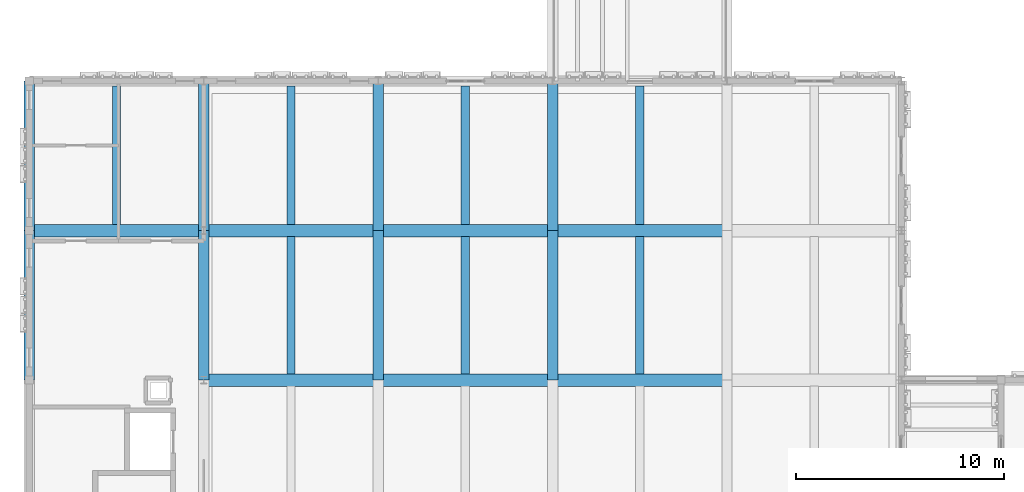
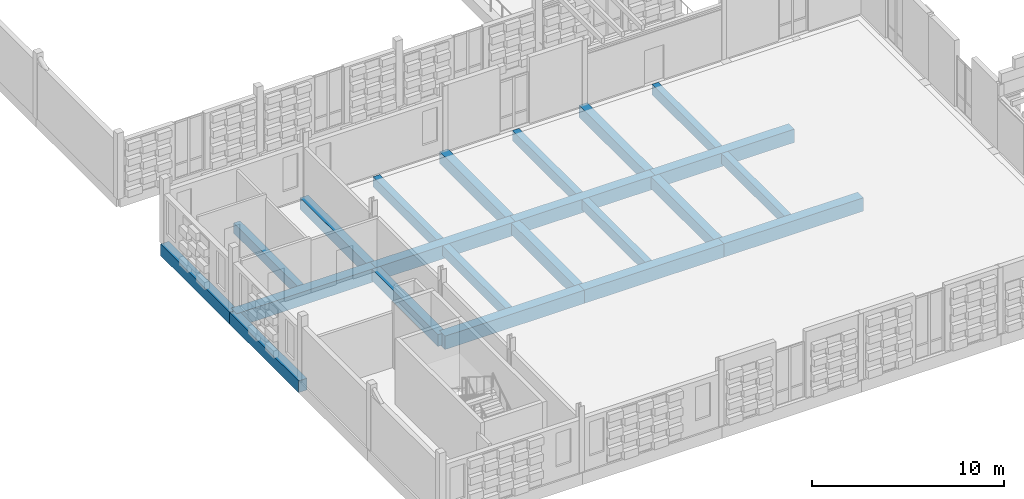
# One storey, part 12 of 99: 22 beams.
"""IFC4 building model written with IfcOpenShell, lengths in metres."""

from ifc_helpers import new_model, si_unit, direction, frame, origin, origin_2d, place, context, subcontext, project, spatial, rectangle, extrude, material, material_profile, profile_set, type_object, element, save


model = new_model("IFC4")

# Units and contexts
model_context = context("Model", 3, precision=1e-05, world=origin(), true_north=direction((0.0, 1.0)))
body_context = subcontext(model_context, "Body", "Model", "MODEL_VIEW")
ifc_project = project(units=[si_unit("LENGTHUNIT", "METRE"), si_unit("AREAUNIT", "SQUARE_METRE"), si_unit("VOLUMEUNIT", "CUBIC_METRE"), si_unit("PLANEANGLEUNIT", "RADIAN"), si_unit("MASSUNIT", "GRAM", prefix="KILO")], contexts=[model_context])

# Site, building, storey
site_placement = place(None, origin())
site = spatial("IfcSite", under=ifc_project, at=site_placement, CompositionType="ELEMENT")
building_placement = place(site_placement, origin())
building = spatial("IfcBuilding", under=site, at=building_placement, Name="Kahlenmark Community Centre", CompositionType="ELEMENT")
storey_placement = place(building_placement, frame((0.0, 0.0, 5.39990234375)))
storey = spatial("IfcBuildingStorey", under=building, at=storey_placement, Name="L01", CompositionType="ELEMENT", Elevation=5.39990234375)

# Beams
ifc_material = material(Name="Concrete C35/45", Category="concrete")
ifc_material_profile_1 = material_profile(ifc_material, rectangle(XDim=0.5, YDim=0.75, at=origin_2d()), Name="RC 500x750")
ifc_profile_set_1 = profile_set([ifc_material_profile_1], Name="Concrete C35/45")
beam_type_1 = type_object("IfcBeamType", Name="BT-BEAM-RC500x750", PredefinedType="BEAM", material=ifc_profile_set_1)
beam_1_placement = place(storey_placement, frame((12.39990234375, 23.199951171875, -0.375), z_axis=(0.0, 1.0, 0.0), x_axis=(-1.0, 0.0, 0.0)))
element("IfcBeam", 1, at=beam_1_placement, inside=storey, type_object=beam_type_1, Name="L01 beam BG-RC500x750", PredefinedType="BEAM", context=body_context, shape_type="SweptSolid", body=[
    extrude(rectangle(XDim=0.5, YDim=0.75, at=origin_2d()), origin(), (0.0, 0.0, 1.0), 7.199951171875),
])
beam_2_placement = place(storey_placement, frame((12.39990234375, 30.39990234375, -0.375), z_axis=(0.0, 1.0, 0.0), x_axis=(-1.0, 0.0, 0.0)))
element("IfcBeam", 2, at=beam_2_placement, inside=storey, type_object=beam_type_1, Name="L01 beam BG-RC500x750", PredefinedType="BEAM", context=body_context, shape_type="SweptSolid", body=[
    extrude(rectangle(XDim=0.5, YDim=0.75, at=origin_2d()), origin(), (0.0, 0.0, 1.0), 7.2001953125),
])
beam_3_placement = place(storey_placement, frame((20.800048828125, 23.199951171875, -0.375), z_axis=(0.0, 1.0, 0.0), x_axis=(-1.0, 0.0, 0.0)))
element("IfcBeam", 3, at=beam_3_placement, inside=storey, type_object=beam_type_1, Name="L01 beam BG-RC500x750", PredefinedType="BEAM", context=body_context, shape_type="SweptSolid", body=[
    extrude(rectangle(XDim=0.5, YDim=0.75, at=origin_2d()), origin(), (0.0, 0.0, 1.0), 7.199951171875),
])
beam_4_placement = place(storey_placement, frame((20.800048828125, 30.39990234375, -0.375), z_axis=(0.0, 1.0, 0.0), x_axis=(-1.0, 0.0, 0.0)))
element("IfcBeam", 4, at=beam_4_placement, inside=storey, type_object=beam_type_1, Name="L01 beam BG-RC500x750", PredefinedType="BEAM", context=body_context, shape_type="SweptSolid", body=[
    extrude(rectangle(XDim=0.5, YDim=0.75, at=origin_2d()), origin(), (0.0, 0.0, 1.0), 7.2001953125),
])
beam_5_placement = place(storey_placement, frame((29.199951171875, 23.199951171875, -0.375), z_axis=(0.0, 1.0, 0.0), x_axis=(-1.0, 0.0, 0.0)))
element("IfcBeam", 5, at=beam_5_placement, inside=storey, type_object=beam_type_1, Name="L01 beam BG-RC500x750", PredefinedType="BEAM", context=body_context, shape_type="SweptSolid", body=[
    extrude(rectangle(XDim=0.5, YDim=0.75, at=origin_2d()), origin(), (0.0, 0.0, 1.0), 7.199951171875),
])
beam_6_placement = place(storey_placement, frame((29.199951171875, 30.39990234375, -0.375), z_axis=(0.0, 1.0, 0.0), x_axis=(-1.0, 0.0, 0.0)))
element("IfcBeam", 6, at=beam_6_placement, inside=storey, type_object=beam_type_1, Name="L01 beam BG-RC500x750", PredefinedType="BEAM", context=body_context, shape_type="SweptSolid", body=[
    extrude(rectangle(XDim=0.5, YDim=0.75, at=origin_2d()), origin(), (0.0, 0.0, 1.0), 7.2001953125),
])
ifc_material_profile_2 = material_profile(ifc_material, rectangle(XDim=0.60009765625, YDim=0.85009765625, at=origin_2d()), Name="RC 600x850")
ifc_profile_set_2 = profile_set([ifc_material_profile_2], Name="Concrete C35/45")
beam_type_2 = type_object("IfcBeamType", Name="BT-BEAM-RC600x850", PredefinedType="BEAM", material=ifc_profile_set_2)
beam_7_placement = place(storey_placement, frame((12.39990234375, 23.199951171875, -0.4248046875), z_axis=(1.0, 0.0, 0.0), x_axis=(0.0, 1.0, 0.0)))
element("IfcBeam", 7, at=beam_7_placement, inside=storey, type_object=beam_type_2, Name="L01 beam BG-RC600x850", PredefinedType="BEAM", context=body_context, shape_type="SweptSolid", body=[
    extrude(rectangle(XDim=0.60009765625, YDim=0.85009765625, at=origin_2d()), origin(), (0.0, 0.0, 1.0), 8.400146484375),
])
beam_8_placement = place(storey_placement, frame((20.800048828125, 23.199951171875, -0.4248046875), z_axis=(1.0, 0.0, 0.0), x_axis=(0.0, 1.0, 0.0)))
element("IfcBeam", 8, at=beam_8_placement, inside=storey, type_object=beam_type_2, Name="L01 beam BG-RC600x850", PredefinedType="BEAM", context=body_context, shape_type="SweptSolid", body=[
    extrude(rectangle(XDim=0.60009765625, YDim=0.85009765625, at=origin_2d()), origin(), (0.0, 0.0, 1.0), 8.39990234375),
])
beam_9_placement = place(storey_placement, frame((29.199951171875, 23.199951171875, -0.4248046875), z_axis=(1.0, 0.0, 0.0), x_axis=(0.0, 1.0, 0.0)))
element("IfcBeam", 9, at=beam_9_placement, inside=storey, type_object=beam_type_2, Name="L01 beam BG-RC600x850", PredefinedType="BEAM", context=body_context, shape_type="SweptSolid", body=[
    extrude(rectangle(XDim=0.60009765625, YDim=0.85009765625, at=origin_2d()), origin(), (0.0, 0.0, 1.0), 8.400146484375),
])
beam_10_placement = place(storey_placement, frame((4.0, 30.39990234375, -0.4248046875), z_axis=(1.0, 0.0, 0.0), x_axis=(0.0, 1.0, 0.0)))
element("IfcBeam", 10, at=beam_10_placement, inside=storey, type_object=beam_type_2, Name="L01 beam BG-RC600x850", PredefinedType="BEAM", context=body_context, shape_type="SweptSolid", body=[
    extrude(rectangle(XDim=0.60009765625, YDim=0.85009765625, at=origin_2d()), origin(), (0.0, 0.0, 1.0), 8.39990234375),
])
beam_11_placement = place(storey_placement, frame((12.39990234375, 30.39990234375, -0.4248046875), z_axis=(1.0, 0.0, 0.0), x_axis=(0.0, 1.0, 0.0)))
element("IfcBeam", 11, at=beam_11_placement, inside=storey, type_object=beam_type_2, Name="L01 beam BG-RC600x850", PredefinedType="BEAM", context=body_context, shape_type="SweptSolid", body=[
    extrude(rectangle(XDim=0.60009765625, YDim=0.85009765625, at=origin_2d()), origin(), (0.0, 0.0, 1.0), 8.400146484375),
])
beam_12_placement = place(storey_placement, frame((20.800048828125, 30.39990234375, -0.4248046875), z_axis=(1.0, 0.0, 0.0), x_axis=(0.0, 1.0, 0.0)))
element("IfcBeam", 12, at=beam_12_placement, inside=storey, type_object=beam_type_2, Name="L01 beam BG-RC600x850", PredefinedType="BEAM", context=body_context, shape_type="SweptSolid", body=[
    extrude(rectangle(XDim=0.60009765625, YDim=0.85009765625, at=origin_2d()), origin(), (0.0, 0.0, 1.0), 8.39990234375),
])
beam_13_placement = place(storey_placement, frame((29.199951171875, 30.39990234375, -0.4248046875), z_axis=(1.0, 0.0, 0.0), x_axis=(0.0, 1.0, 0.0)))
element("IfcBeam", 13, at=beam_13_placement, inside=storey, type_object=beam_type_2, Name="L01 beam BG-RC600x850", PredefinedType="BEAM", context=body_context, shape_type="SweptSolid", body=[
    extrude(rectangle(XDim=0.60009765625, YDim=0.85009765625, at=origin_2d()), origin(), (0.0, 0.0, 1.0), 8.400146484375),
])
ifc_material_profile_3 = material_profile(ifc_material, rectangle(XDim=0.39990234375, YDim=0.64990234375, at=origin_2d()), Name="RC 400x650")
ifc_profile_set_3 = profile_set([ifc_material_profile_3], Name="Concrete C35/45")
beam_type_3 = type_object("IfcBeamType", Name="BT-JOIST-RC400x650", PredefinedType="JOIST", material=ifc_profile_set_3)
beam_14_placement = place(storey_placement, frame((8.199951171875, 30.697998046875, -0.324951171875), z_axis=(0.0, 1.0, 0.0), x_axis=(-1.0, 0.0, 0.0)))
element("IfcBeam", 14, at=beam_14_placement, inside=storey, type_object=beam_type_3, Name="L01 joist BJ-RC400x650", PredefinedType="JOIST", context=body_context, shape_type="SweptSolid", body=[
    extrude(rectangle(XDim=0.39990234375, YDim=0.64990234375, at=origin_2d()), origin(), (0.0, 0.0, 1.0), 6.654052734375),
])
beam_15_placement = place(storey_placement, frame((16.60009765625, 23.498046875, -0.324951171875), z_axis=(0.0, 1.0, 0.0), x_axis=(-1.0, 0.0, 0.0)))
element("IfcBeam", 15, at=beam_15_placement, inside=storey, type_object=beam_type_3, Name="L01 joist BJ-RC400x650", PredefinedType="JOIST", context=body_context, shape_type="SweptSolid", body=[
    extrude(rectangle(XDim=0.39990234375, YDim=0.64990234375, at=origin_2d()), origin(), (0.0, 0.0, 1.0), 6.60400390625),
])
beam_16_placement = place(storey_placement, frame((16.60009765625, 30.697998046875, -0.324951171875), z_axis=(0.0, 1.0, 0.0), x_axis=(-1.0, 0.0, 0.0)))
element("IfcBeam", 16, at=beam_16_placement, inside=storey, type_object=beam_type_3, Name="L01 joist BJ-RC400x650", PredefinedType="JOIST", context=body_context, shape_type="SweptSolid", body=[
    extrude(rectangle(XDim=0.39990234375, YDim=0.64990234375, at=origin_2d()), origin(), (0.0, 0.0, 1.0), 6.654052734375),
])
beam_17_placement = place(storey_placement, frame((25.0, 23.498046875, -0.324951171875), z_axis=(0.0, 1.0, 0.0), x_axis=(-1.0, 0.0, 0.0)))
element("IfcBeam", 17, at=beam_17_placement, inside=storey, type_object=beam_type_3, Name="L01 joist BJ-RC400x650", PredefinedType="JOIST", context=body_context, shape_type="SweptSolid", body=[
    extrude(rectangle(XDim=0.39990234375, YDim=0.64990234375, at=origin_2d()), origin(), (0.0, 0.0, 1.0), 6.60400390625),
])
beam_18_placement = place(storey_placement, frame((25.0, 30.697998046875, -0.324951171875), z_axis=(0.0, 1.0, 0.0), x_axis=(-1.0, 0.0, 0.0)))
element("IfcBeam", 18, at=beam_18_placement, inside=storey, type_object=beam_type_3, Name="L01 joist BJ-RC400x650", PredefinedType="JOIST", context=body_context, shape_type="SweptSolid", body=[
    extrude(rectangle(XDim=0.39990234375, YDim=0.64990234375, at=origin_2d()), origin(), (0.0, 0.0, 1.0), 6.654052734375),
])
beam_19_placement = place(storey_placement, frame((33.39990234375, 23.498046875, -0.324951171875), z_axis=(0.0, 1.0, 0.0), x_axis=(-1.0, 0.0, 0.0)))
element("IfcBeam", 19, at=beam_19_placement, inside=storey, type_object=beam_type_3, Name="L01 joist BJ-RC400x650", PredefinedType="JOIST", context=body_context, shape_type="SweptSolid", body=[
    extrude(rectangle(XDim=0.39990234375, YDim=0.64990234375, at=origin_2d()), origin(), (0.0, 0.0, 1.0), 6.60400390625),
])
beam_20_placement = place(storey_placement, frame((33.39990234375, 30.697998046875, -0.324951171875), z_axis=(0.0, 1.0, 0.0), x_axis=(-1.0, 0.0, 0.0)))
element("IfcBeam", 20, at=beam_20_placement, inside=storey, type_object=beam_type_3, Name="L01 joist BJ-RC400x650", PredefinedType="JOIST", context=body_context, shape_type="SweptSolid", body=[
    extrude(rectangle(XDim=0.39990234375, YDim=0.64990234375, at=origin_2d()), origin(), (0.0, 0.0, 1.0), 6.654052734375),
])
ifc_material_profile_4 = material_profile(ifc_material, rectangle(XDim=0.5, YDim=0.75, at=origin_2d()), Name="RC 500x750")
ifc_profile_set_4 = profile_set([ifc_material_profile_4], Name="Concrete C35/45")
beam_type_4 = type_object("IfcBeamType", Name="BT-SPANDREL-RC500x750", PredefinedType="SPANDREL", material=ifc_profile_set_4)
beam_21_placement = place(storey_placement, frame((4.0, 23.199951171875, -0.375), z_axis=(0.0, 1.0, 0.0), x_axis=(-1.0, 0.0, 0.0)))
element("IfcBeam", 21, at=beam_21_placement, inside=storey, type_object=beam_type_4, Name="L01 spandrel SP-RC500x750", PredefinedType="SPANDREL", context=body_context, shape_type="SweptSolid", body=[
    extrude(rectangle(XDim=0.5, YDim=0.75, at=origin_2d()), origin(), (0.0, 0.0, 1.0), 7.199951171875),
])
beam_22_placement = place(storey_placement, frame((4.0, 30.39990234375, -0.375), z_axis=(0.0, 1.0, 0.0), x_axis=(-1.0, 0.0, 0.0)))
element("IfcBeam", 22, at=beam_22_placement, inside=storey, type_object=beam_type_4, Name="L01 spandrel SP-RC500x750", PredefinedType="SPANDREL", context=body_context, shape_type="SweptSolid", body=[
    extrude(rectangle(XDim=0.5, YDim=0.75, at=origin_2d()), origin(), (0.0, 0.0, 1.0), 7.2001953125),
])

save(model, "model.ifc")
